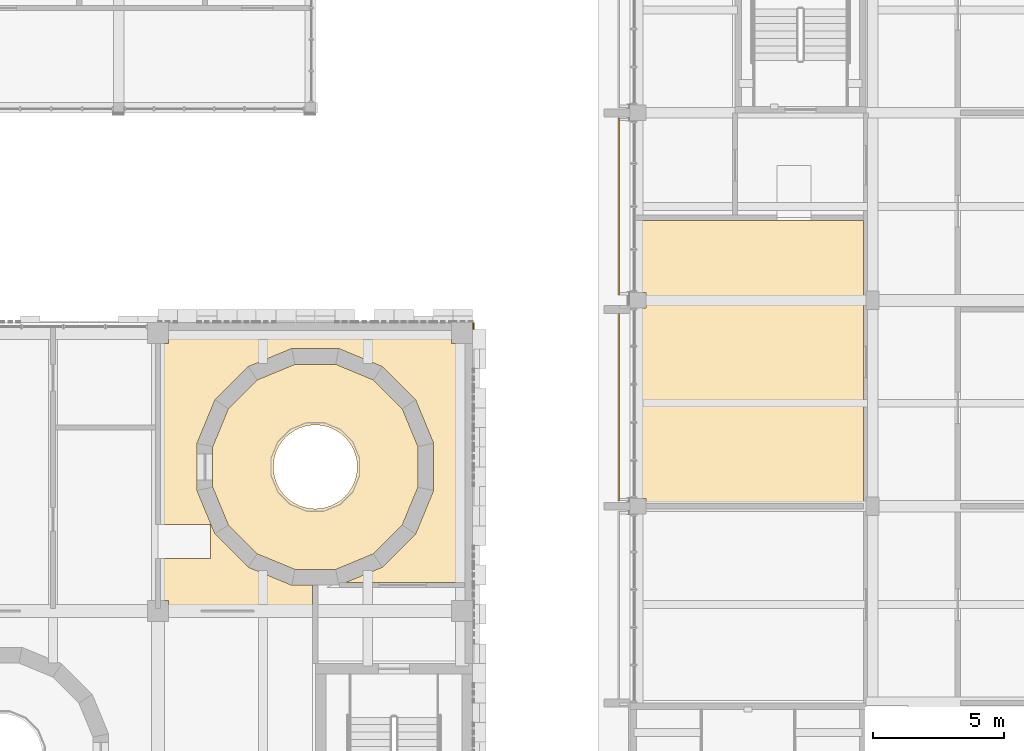
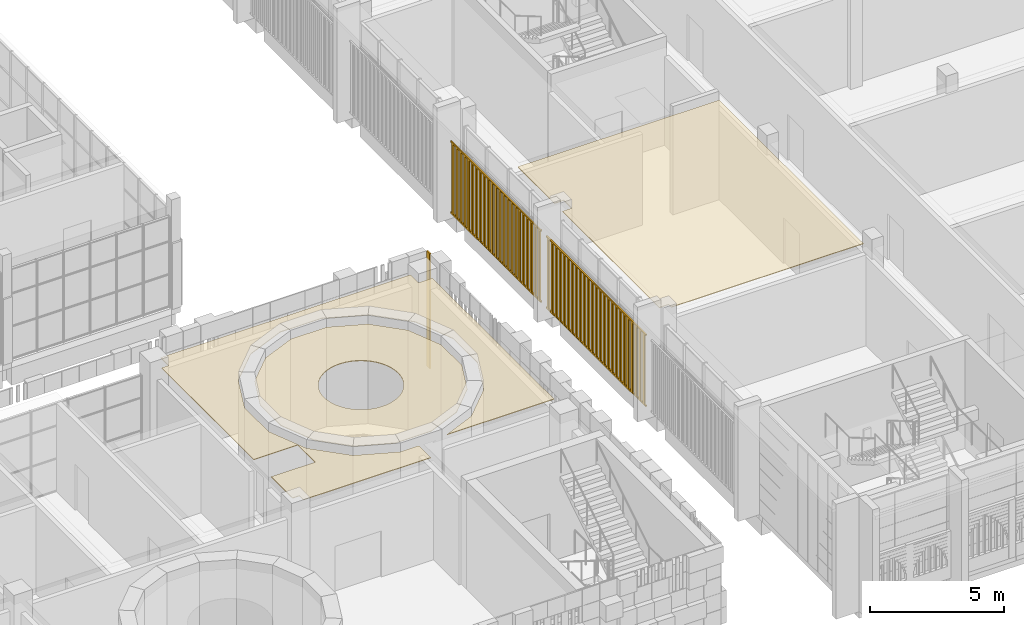
# One storey, part 111 of 125: 4 coverings, 2 shading devices.
"""IFC4 building model written with IfcOpenShell, lengths in metres."""

from ifc_helpers import new_model, si_unit, direction, frame, origin, origin_2d, place, context, subcontext, project, spatial, polyline, rectangle, outline, extrude, material, layer, layer_set, type_object, element, save


model = new_model("IFC4")

# Units and contexts
model_context = context("Model", 3, precision=1e-05, world=origin(), true_north=direction((0.0, 1.0)))
body_context = subcontext(model_context, "Body", "Model", "MODEL_VIEW")
ifc_project = project(units=[si_unit("LENGTHUNIT", "METRE"), si_unit("AREAUNIT", "SQUARE_METRE"), si_unit("VOLUMEUNIT", "CUBIC_METRE"), si_unit("PLANEANGLEUNIT", "RADIAN"), si_unit("MASSUNIT", "GRAM", prefix="KILO")], contexts=[model_context])

# Site, building, storey
site_placement = place(None, origin())
site = spatial("IfcSite", under=ifc_project, at=site_placement, CompositionType="ELEMENT")
building_placement = place(site_placement, origin())
building = spatial("IfcBuilding", under=site, at=building_placement, Name="Sun Court Science Centre", CompositionType="ELEMENT")
storey_placement = place(building_placement, frame((0.0, 0.0, 6.0)))
storey = spatial("IfcBuildingStorey", under=building, at=storey_placement, Name="L01", CompositionType="ELEMENT", Elevation=6.0)

# Coverings
ifc_material_1 = material(Name="Gypsum board")
ifc_layer_1 = layer(ifc_material_1, 0.030029296875)
ifc_layer_set_1 = layer_set([ifc_layer_1], Name="Gypsum board")
covering_type_1 = type_object("IfcCoveringType", Name="Ceiling suspended 600 module", PredefinedType="CEILING", material=ifc_layer_set_1)
covering_1_placement = place(storey_placement, frame((0.0, 0.0, 4.52001953125)))
element("IfcCovering", 1, at=covering_1_placement, inside=storey, type_object=covering_type_1, Name="L01-006 ceiling", PredefinedType="CEILING", context=body_context, shape_type="SweptSolid", body=[
    extrude(outline(polyline([(69.316162109375, 20.2841796875), (68.2158203125, 19.183837890625), (66.778076171875, 18.58837890625), (65.221923828125, 18.58837890625), (63.7841796875, 19.183837890625), (62.683837890625, 20.2841796875), (62.08837890625, 21.721923828125), (62.08837890625, 23.278076171875), (62.683837890625, 24.7158203125), (63.7841796875, 25.816162109375), (65.221923828125, 26.41162109375), (66.778076171875, 26.41162109375), (68.2158203125, 25.816162109375), (69.316162109375, 24.7158203125), (69.91162109375, 23.278076171875), (69.91162109375, 21.721923828125), (69.316162109375, 20.2841796875)]), holes=[polyline([(67.478271484375, 23.1123046875), (67.385498046875, 23.300048828125), (67.269287109375, 23.47412109375), (67.13134765625, 23.63134765625), (66.97412109375, 23.769287109375), (66.800048828125, 23.885498046875), (66.6123046875, 23.978271484375), (66.4140625, 24.04541015625), (66.208740234375, 24.086181640625), (66.0, 24.10009765625), (65.791259765625, 24.086181640625), (65.5859375, 24.04541015625), (65.3876953125, 23.978271484375), (65.199951171875, 23.885498046875), (65.02587890625, 23.769287109375), (64.86865234375, 23.63134765625), (64.730712890625, 23.47412109375), (64.614501953125, 23.300048828125), (64.521728515625, 23.1123046875), (64.45458984375, 22.9140625), (64.413818359375, 22.708740234375), (64.39990234375, 22.5), (64.413818359375, 22.291259765625), (64.45458984375, 22.0859375), (64.521728515625, 21.8876953125), (64.614501953125, 21.699951171875), (64.730712890625, 21.52587890625), (64.86865234375, 21.36865234375), (65.02587890625, 21.230712890625), (65.199951171875, 21.114501953125), (65.3876953125, 21.021728515625), (65.5859375, 20.95458984375), (65.791259765625, 20.913818359375), (66.0, 20.89990234375), (66.208740234375, 20.913818359375), (66.4140625, 20.95458984375), (66.6123046875, 21.021728515625), (66.800048828125, 21.114501953125), (66.97412109375, 21.230712890625), (67.13134765625, 21.36865234375), (67.269287109375, 21.52587890625), (67.385498046875, 21.699951171875), (67.478271484375, 21.8876953125), (67.54541015625, 22.0859375), (67.586181640625, 22.291259765625), (67.60009765625, 22.5), (67.586181640625, 22.708740234375), (67.54541015625, 22.9140625), (67.478271484375, 23.1123046875)])]), origin(), (0.0, 0.0, 1.0), 0.030029296875),
])
covering_2_placement = place(storey_placement, frame((0.0, 0.0, 4.52001953125)))
element("IfcCovering", 2, at=covering_2_placement, inside=storey, type_object=covering_type_1, Name="L01-026 ceiling", PredefinedType="CEILING", context=body_context, shape_type="SweptSolid", body=[
    extrude(outline(polyline([(71.800048828125, 18.10009765625), (67.1669921875, 18.10009765625), (68.5556640625, 18.67529296875), (69.82470703125, 19.9443359375), (70.51171875, 21.6025390625), (70.51171875, 23.3974609375), (69.82470703125, 25.0556640625), (68.5556640625, 26.32470703125), (66.8974609375, 27.01171875), (65.1025390625, 27.01171875), (63.4443359375, 26.32470703125), (62.17529296875, 25.0556640625), (61.48828125, 23.3974609375), (61.48828125, 21.6025390625), (62.17529296875, 19.9443359375), (63.4443359375, 18.67529296875), (65.1025390625, 17.98828125), (65.89990234375, 17.98828125), (65.89990234375, 17.10009765625), (60.39990234375, 17.10009765625), (60.39990234375, 17.39990234375), (60.10009765625, 17.39990234375), (60.10009765625, 19.0), (62.0, 19.0), (62.0, 20.300048828125), (60.10009765625, 20.300048828125), (60.10009765625, 27.199951171875), (60.39990234375, 27.199951171875), (60.39990234375, 27.800048828125), (71.199951171875, 27.800048828125), (71.199951171875, 27.199951171875), (71.800048828125, 27.199951171875), (71.800048828125, 18.10009765625)])), origin(), (0.0, 0.0, 1.0), 0.030029296875),
])
covering_3_placement = place(storey_placement, frame((0.0, 0.0, 4.52001953125)))
element("IfcCovering", 3, at=covering_3_placement, inside=storey, type_object=covering_type_1, Name="L01-044 ceiling", PredefinedType="CEILING", context=body_context, shape_type="SweptSolid", body=[
    extrude(outline(polyline([(78.199951171875, 31.89990234375), (86.89990234375, 31.89990234375), (86.89990234375, 21.10009765625), (78.60009765625, 21.10009765625), (78.60009765625, 21.300048828125), (78.199951171875, 21.300048828125), (78.199951171875, 28.550048828125), (78.60009765625, 28.550048828125), (78.60009765625, 29.14990234375), (78.199951171875, 29.14990234375), (78.199951171875, 31.89990234375)])), origin(), (0.0, 0.0, 1.0), 0.030029296875),
])

# Shading devices
ifc_material_2 = material(Name="Red sandstone", Category="masonry")
ifc_layer_2 = layer(ifc_material_2, 0.06005859375)
ifc_layer_set_2 = layer_set([ifc_layer_2], Name="Red sandstone")
shading_device_type = type_object("IfcShadingDeviceType", Name="Jali screen, sandstone", PredefinedType="USERDEFINED", material=ifc_layer_set_2)
shading_device_1_placement = place(storey_placement, frame((0.0, 0.0, -6.0)))
element("IfcShadingDevice", 4, at=shading_device_1_placement, inside=storey, type_object=shading_device_type, Name="Jali screen west face L01 02", ObjectType="JALI SCREEN", PredefinedType="USERDEFINED", context=body_context, shape_type="SweptSolid", body=[
    extrude(rectangle(XDim=0.1201171875, YDim=0.06005859375, at=origin_2d()), frame((77.570068359375, 21.34912109375, 6.33984375), z_axis=(0.0, 0.0, 1.0), x_axis=(0.0, 1.0, 0.0)), (0.0, 0.0, 1.0), 3.219970703125),
    extrude(rectangle(XDim=0.1201171875, YDim=0.06005859375, at=origin_2d()), frame((77.570068359375, 21.64697265625, 6.33984375), z_axis=(0.0, 0.0, 1.0), x_axis=(0.0, 1.0, 0.0)), (0.0, 0.0, 1.0), 3.219970703125),
    extrude(rectangle(XDim=0.1201171875, YDim=0.06005859375, at=origin_2d()), frame((77.570068359375, 21.945068359375, 6.33984375), z_axis=(0.0, 0.0, 1.0), x_axis=(0.0, 1.0, 0.0)), (0.0, 0.0, 1.0), 3.219970703125),
    extrude(rectangle(XDim=0.1201171875, YDim=0.06005859375, at=origin_2d()), frame((77.570068359375, 22.242919921875, 6.33984375), z_axis=(0.0, 0.0, 1.0), x_axis=(0.0, 1.0, 0.0)), (0.0, 0.0, 1.0), 3.219970703125),
    extrude(rectangle(XDim=0.1201171875, YDim=0.06005859375, at=origin_2d()), frame((77.570068359375, 22.541015625, 6.33984375), z_axis=(0.0, 0.0, 1.0), x_axis=(0.0, 1.0, 0.0)), (0.0, 0.0, 1.0), 3.219970703125),
    extrude(rectangle(XDim=0.1201171875, YDim=0.06005859375, at=origin_2d()), frame((77.570068359375, 22.839111328125, 6.33984375), z_axis=(0.0, 0.0, 1.0), x_axis=(0.0, 1.0, 0.0)), (0.0, 0.0, 1.0), 3.219970703125),
    extrude(rectangle(XDim=0.1201171875, YDim=0.06005859375, at=origin_2d()), frame((77.570068359375, 23.136962890625, 6.33984375), z_axis=(0.0, 0.0, 1.0), x_axis=(0.0, 1.0, 0.0)), (0.0, 0.0, 1.0), 3.219970703125),
    extrude(rectangle(XDim=0.1201171875, YDim=0.06005859375, at=origin_2d()), frame((77.570068359375, 23.43505859375, 6.33984375), z_axis=(0.0, 0.0, 1.0), x_axis=(0.0, 1.0, 0.0)), (0.0, 0.0, 1.0), 3.219970703125),
    extrude(rectangle(XDim=0.1201171875, YDim=0.06005859375, at=origin_2d()), frame((77.570068359375, 23.73291015625, 6.33984375), z_axis=(0.0, 0.0, 1.0), x_axis=(0.0, 1.0, 0.0)), (0.0, 0.0, 1.0), 3.219970703125),
    extrude(rectangle(XDim=0.1201171875, YDim=0.06005859375, at=origin_2d()), frame((77.570068359375, 24.031005859375, 6.33984375), z_axis=(0.0, 0.0, 1.0), x_axis=(0.0, 1.0, 0.0)), (0.0, 0.0, 1.0), 3.219970703125),
    extrude(rectangle(XDim=0.1201171875, YDim=0.06005859375, at=origin_2d()), frame((77.570068359375, 24.3291015625, 6.33984375), z_axis=(0.0, 0.0, 1.0), x_axis=(0.0, 1.0, 0.0)), (0.0, 0.0, 1.0), 3.219970703125),
    extrude(rectangle(XDim=0.1201171875, YDim=0.06005859375, at=origin_2d()), frame((77.570068359375, 24.626953125, 6.33984375), z_axis=(0.0, 0.0, 1.0), x_axis=(0.0, 1.0, 0.0)), (0.0, 0.0, 1.0), 3.219970703125),
    extrude(rectangle(XDim=0.1201171875, YDim=0.06005859375, at=origin_2d()), frame((77.570068359375, 24.925048828125, 6.33984375), z_axis=(0.0, 0.0, 1.0), x_axis=(0.0, 1.0, 0.0)), (0.0, 0.0, 1.0), 3.219970703125),
    extrude(rectangle(XDim=0.1201171875, YDim=0.06005859375, at=origin_2d()), frame((77.570068359375, 25.222900390625, 6.33984375), z_axis=(0.0, 0.0, 1.0), x_axis=(0.0, 1.0, 0.0)), (0.0, 0.0, 1.0), 3.219970703125),
    extrude(rectangle(XDim=0.1201171875, YDim=0.06005859375, at=origin_2d()), frame((77.570068359375, 25.52099609375, 6.33984375), z_axis=(0.0, 0.0, 1.0), x_axis=(0.0, 1.0, 0.0)), (0.0, 0.0, 1.0), 3.219970703125),
    extrude(rectangle(XDim=0.1201171875, YDim=0.06005859375, at=origin_2d()), frame((77.570068359375, 25.819091796875, 6.33984375), z_axis=(0.0, 0.0, 1.0), x_axis=(0.0, 1.0, 0.0)), (0.0, 0.0, 1.0), 3.219970703125),
    extrude(rectangle(XDim=0.1201171875, YDim=0.06005859375, at=origin_2d()), frame((77.570068359375, 26.116943359375, 6.33984375), z_axis=(0.0, 0.0, 1.0), x_axis=(0.0, 1.0, 0.0)), (0.0, 0.0, 1.0), 3.219970703125),
    extrude(rectangle(XDim=0.1201171875, YDim=0.06005859375, at=origin_2d()), frame((77.570068359375, 26.4150390625, 6.33984375), z_axis=(0.0, 0.0, 1.0), x_axis=(0.0, 1.0, 0.0)), (0.0, 0.0, 1.0), 3.219970703125),
    extrude(rectangle(XDim=0.1201171875, YDim=0.06005859375, at=origin_2d()), frame((77.570068359375, 26.712890625, 6.33984375), z_axis=(0.0, 0.0, 1.0), x_axis=(0.0, 1.0, 0.0)), (0.0, 0.0, 1.0), 3.219970703125),
    extrude(rectangle(XDim=0.1201171875, YDim=0.06005859375, at=origin_2d()), frame((77.570068359375, 27.010986328125, 6.33984375), z_axis=(0.0, 0.0, 1.0), x_axis=(0.0, 1.0, 0.0)), (0.0, 0.0, 1.0), 3.219970703125),
    extrude(rectangle(XDim=0.1201171875, YDim=0.06005859375, at=origin_2d()), frame((77.570068359375, 27.30908203125, 6.33984375), z_axis=(0.0, 0.0, 1.0), x_axis=(0.0, 1.0, 0.0)), (0.0, 0.0, 1.0), 3.219970703125),
    extrude(rectangle(XDim=0.1201171875, YDim=0.06005859375, at=origin_2d()), frame((77.570068359375, 27.60693359375, 6.33984375), z_axis=(0.0, 0.0, 1.0), x_axis=(0.0, 1.0, 0.0)), (0.0, 0.0, 1.0), 3.219970703125),
    extrude(rectangle(XDim=0.1201171875, YDim=0.06005859375, at=origin_2d()), frame((77.570068359375, 27.905029296875, 6.33984375), z_axis=(0.0, 0.0, 1.0), x_axis=(0.0, 1.0, 0.0)), (0.0, 0.0, 1.0), 3.219970703125),
    extrude(rectangle(XDim=0.1201171875, YDim=0.06005859375, at=origin_2d()), frame((77.570068359375, 28.202880859375, 6.33984375), z_axis=(0.0, 0.0, 1.0), x_axis=(0.0, 1.0, 0.0)), (0.0, 0.0, 1.0), 3.219970703125),
    extrude(rectangle(XDim=0.1201171875, YDim=0.06005859375, at=origin_2d()), frame((77.570068359375, 28.5009765625, 6.33984375), z_axis=(0.0, 0.0, 1.0), x_axis=(0.0, 1.0, 0.0)), (0.0, 0.0, 1.0), 3.219970703125),
    extrude(rectangle(XDim=7.449951171875, YDim=0.06005859375, at=origin_2d()), frame((77.570068359375, 24.925048828125, 6.300048828125), z_axis=(0.0, 0.0, 1.0), x_axis=(0.0, 1.0, 0.0)), (0.0, 0.0, 1.0), 0.06005859375),
    extrude(rectangle(XDim=7.449951171875, YDim=0.06005859375, at=origin_2d()), frame((77.570068359375, 24.925048828125, 9.5400390625), z_axis=(0.0, 0.0, 1.0), x_axis=(0.0, 1.0, 0.0)), (0.0, 0.0, 1.0), 0.06005859375),
])
shading_device_2_placement = place(storey_placement, frame((0.0, 0.0, -6.0)))
element("IfcShadingDevice", 5, at=shading_device_2_placement, inside=storey, type_object=shading_device_type, Name="Jali screen west face L01 03", ObjectType="JALI SCREEN", PredefinedType="USERDEFINED", context=body_context, shape_type="SweptSolid", body=[
    extrude(rectangle(XDim=0.1201171875, YDim=0.06005859375, at=origin_2d()), frame((77.570068359375, 29.19677734375, 6.33984375), z_axis=(0.0, 0.0, 1.0), x_axis=(0.0, 1.0, 0.0)), (0.0, 0.0, 1.0), 3.219970703125),
    extrude(rectangle(XDim=0.1201171875, YDim=0.06005859375, at=origin_2d()), frame((77.570068359375, 29.490234375, 6.33984375), z_axis=(0.0, 0.0, 1.0), x_axis=(0.0, 1.0, 0.0)), (0.0, 0.0, 1.0), 3.219970703125),
    extrude(rectangle(XDim=0.1201171875, YDim=0.06005859375, at=origin_2d()), frame((77.570068359375, 29.78369140625, 6.33984375), z_axis=(0.0, 0.0, 1.0), x_axis=(0.0, 1.0, 0.0)), (0.0, 0.0, 1.0), 3.219970703125),
    extrude(rectangle(XDim=0.1201171875, YDim=0.06005859375, at=origin_2d()), frame((77.570068359375, 30.0771484375, 6.33984375), z_axis=(0.0, 0.0, 1.0), x_axis=(0.0, 1.0, 0.0)), (0.0, 0.0, 1.0), 3.219970703125),
    extrude(rectangle(XDim=0.1201171875, YDim=0.06005859375, at=origin_2d()), frame((77.570068359375, 30.37060546875, 6.33984375), z_axis=(0.0, 0.0, 1.0), x_axis=(0.0, 1.0, 0.0)), (0.0, 0.0, 1.0), 3.219970703125),
    extrude(rectangle(XDim=0.1201171875, YDim=0.06005859375, at=origin_2d()), frame((77.570068359375, 30.6640625, 6.33984375), z_axis=(0.0, 0.0, 1.0), x_axis=(0.0, 1.0, 0.0)), (0.0, 0.0, 1.0), 3.219970703125),
    extrude(rectangle(XDim=0.1201171875, YDim=0.06005859375, at=origin_2d()), frame((77.570068359375, 30.95751953125, 6.33984375), z_axis=(0.0, 0.0, 1.0), x_axis=(0.0, 1.0, 0.0)), (0.0, 0.0, 1.0), 3.219970703125),
    extrude(rectangle(XDim=0.1201171875, YDim=0.06005859375, at=origin_2d()), frame((77.570068359375, 31.2509765625, 6.33984375), z_axis=(0.0, 0.0, 1.0), x_axis=(0.0, 1.0, 0.0)), (0.0, 0.0, 1.0), 3.219970703125),
    extrude(rectangle(XDim=0.1201171875, YDim=0.06005859375, at=origin_2d()), frame((77.570068359375, 31.544677734375, 6.33984375), z_axis=(0.0, 0.0, 1.0), x_axis=(0.0, 1.0, 0.0)), (0.0, 0.0, 1.0), 3.219970703125),
    extrude(rectangle(XDim=0.1201171875, YDim=0.06005859375, at=origin_2d()), frame((77.570068359375, 31.838134765625, 6.33984375), z_axis=(0.0, 0.0, 1.0), x_axis=(0.0, 1.0, 0.0)), (0.0, 0.0, 1.0), 3.219970703125),
    extrude(rectangle(XDim=0.1201171875, YDim=0.06005859375, at=origin_2d()), frame((77.570068359375, 32.131591796875, 6.33984375), z_axis=(0.0, 0.0, 1.0), x_axis=(0.0, 1.0, 0.0)), (0.0, 0.0, 1.0), 3.219970703125),
    extrude(rectangle(XDim=0.1201171875, YDim=0.06005859375, at=origin_2d()), frame((77.570068359375, 32.425048828125, 6.33984375), z_axis=(0.0, 0.0, 1.0), x_axis=(0.0, 1.0, 0.0)), (0.0, 0.0, 1.0), 3.219970703125),
    extrude(rectangle(XDim=0.1201171875, YDim=0.06005859375, at=origin_2d()), frame((77.570068359375, 32.718505859375, 6.33984375), z_axis=(0.0, 0.0, 1.0), x_axis=(0.0, 1.0, 0.0)), (0.0, 0.0, 1.0), 3.219970703125),
    extrude(rectangle(XDim=0.1201171875, YDim=0.06005859375, at=origin_2d()), frame((77.570068359375, 33.011962890625, 6.33984375), z_axis=(0.0, 0.0, 1.0), x_axis=(0.0, 1.0, 0.0)), (0.0, 0.0, 1.0), 3.219970703125),
    extrude(rectangle(XDim=0.1201171875, YDim=0.06005859375, at=origin_2d()), frame((77.570068359375, 33.305419921875, 6.33984375), z_axis=(0.0, 0.0, 1.0), x_axis=(0.0, 1.0, 0.0)), (0.0, 0.0, 1.0), 3.219970703125),
    extrude(rectangle(XDim=0.1201171875, YDim=0.06005859375, at=origin_2d()), frame((77.570068359375, 33.598876953125, 6.33984375), z_axis=(0.0, 0.0, 1.0), x_axis=(0.0, 1.0, 0.0)), (0.0, 0.0, 1.0), 3.219970703125),
    extrude(rectangle(XDim=0.1201171875, YDim=0.06005859375, at=origin_2d()), frame((77.570068359375, 33.892333984375, 6.33984375), z_axis=(0.0, 0.0, 1.0), x_axis=(0.0, 1.0, 0.0)), (0.0, 0.0, 1.0), 3.219970703125),
    extrude(rectangle(XDim=0.1201171875, YDim=0.06005859375, at=origin_2d()), frame((77.570068359375, 34.185791015625, 6.33984375), z_axis=(0.0, 0.0, 1.0), x_axis=(0.0, 1.0, 0.0)), (0.0, 0.0, 1.0), 3.219970703125),
    extrude(rectangle(XDim=0.1201171875, YDim=0.06005859375, at=origin_2d()), frame((77.570068359375, 34.479248046875, 6.33984375), z_axis=(0.0, 0.0, 1.0), x_axis=(0.0, 1.0, 0.0)), (0.0, 0.0, 1.0), 3.219970703125),
    extrude(rectangle(XDim=0.1201171875, YDim=0.06005859375, at=origin_2d()), frame((77.570068359375, 34.772705078125, 6.33984375), z_axis=(0.0, 0.0, 1.0), x_axis=(0.0, 1.0, 0.0)), (0.0, 0.0, 1.0), 3.219970703125),
    extrude(rectangle(XDim=0.1201171875, YDim=0.06005859375, at=origin_2d()), frame((77.570068359375, 35.06640625, 6.33984375), z_axis=(0.0, 0.0, 1.0), x_axis=(0.0, 1.0, 0.0)), (0.0, 0.0, 1.0), 3.219970703125),
    extrude(rectangle(XDim=0.1201171875, YDim=0.06005859375, at=origin_2d()), frame((77.570068359375, 35.35986328125, 6.33984375), z_axis=(0.0, 0.0, 1.0), x_axis=(0.0, 1.0, 0.0)), (0.0, 0.0, 1.0), 3.219970703125),
    extrude(rectangle(XDim=0.1201171875, YDim=0.06005859375, at=origin_2d()), frame((77.570068359375, 35.6533203125, 6.33984375), z_axis=(0.0, 0.0, 1.0), x_axis=(0.0, 1.0, 0.0)), (0.0, 0.0, 1.0), 3.219970703125),
    extrude(rectangle(XDim=6.75, YDim=0.06005859375, at=origin_2d()), frame((77.570068359375, 32.425048828125, 6.300048828125), z_axis=(0.0, 0.0, 1.0), x_axis=(0.0, 1.0, 0.0)), (0.0, 0.0, 1.0), 0.06005859375),
    extrude(rectangle(XDim=6.75, YDim=0.06005859375, at=origin_2d()), frame((77.570068359375, 32.425048828125, 9.5400390625), z_axis=(0.0, 0.0, 1.0), x_axis=(0.0, 1.0, 0.0)), (0.0, 0.0, 1.0), 0.06005859375),
])

# Covering
ifc_material_3 = material(Name="Red sandstone", Category="masonry")
ifc_layer_3 = layer(ifc_material_3, 0.080078125)
ifc_layer_set_3 = layer_set([ifc_layer_3], Name="Red sandstone")
covering_type_2 = type_object("IfcCoveringType", Name="Red sandstone corner closer", PredefinedType="CLADDING", material=ifc_layer_set_3)
covering_4_placement = place(storey_placement, frame((0.0, 0.0, -6.0)))
element("IfcCovering", 6, at=covering_4_placement, inside=storey, type_object=covering_type_2, Name="Sandstone corner closer east face L01", PredefinedType="CLADDING", context=body_context, shape_type="SweptSolid", body=[
    extrude(rectangle(XDim=0.25, YDim=0.06005859375, at=origin_2d()), frame((72.030029296875, 27.875, 6.0), z_axis=(0.0, 0.0, 1.0), x_axis=(0.0, -1.0, 0.0)), (0.0, 0.0, 1.0), 5.25),
])

save(model, "model.ifc")
